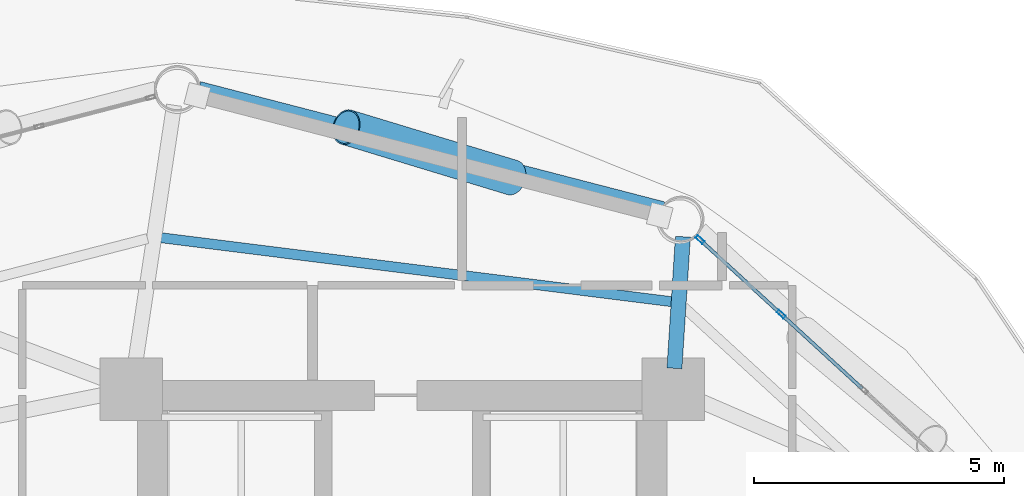
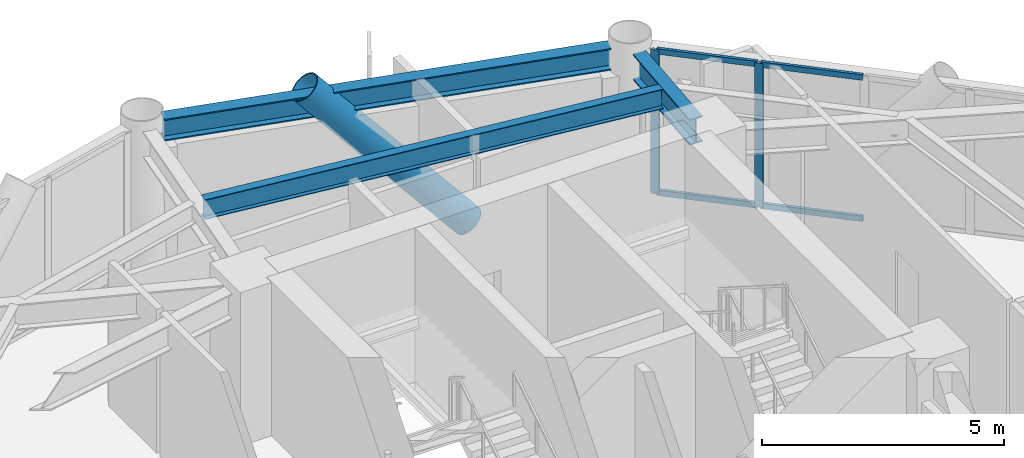
# One storey, part 17 of 23: 7 members, 3 beams, 1 element without a shape of its own.
"""IFC4 building model written with IfcOpenShell, lengths in metres."""

from ifc_helpers import new_model, si_unit, direction, frame, origin, origin_2d, place, context, subcontext, project, spatial, hollow_rectangle, hollow_circle, i_section, extrude, material, layer, layer_set, material_profile, profile_set, type_object, element, aggregate, save


model = new_model("IFC4")

# Units and contexts
model_context = context("Model", 3, precision=1e-05, world=origin(), true_north=direction((0.0, 1.0)))
body_context = subcontext(model_context, "Body", "Model", "MODEL_VIEW")
ifc_project = project(units=[si_unit("LENGTHUNIT", "METRE"), si_unit("AREAUNIT", "SQUARE_METRE"), si_unit("VOLUMEUNIT", "CUBIC_METRE"), si_unit("PLANEANGLEUNIT", "RADIAN"), si_unit("MASSUNIT", "GRAM", prefix="KILO")], contexts=[model_context])

# Site, building, storey
site_placement = place(None, origin())
site = spatial("IfcSite", under=ifc_project, at=site_placement, CompositionType="ELEMENT")
building_placement = place(site_placement, origin())
building = spatial("IfcBuilding", under=site, at=building_placement, Name="Varnakorn Sky Granary", CompositionType="ELEMENT")
storey_placement = place(building_placement, frame((0.0, 0.0, 31.5)))
storey = spatial("IfcBuildingStorey", under=building, at=storey_placement, Name="L07", CompositionType="ELEMENT", Elevation=31.5)

# Beams
ifc_material_1 = material(Name="Steel S355JR", Category="steel")
ifc_material_profile_1 = material_profile(ifc_material_1, i_section(OverallWidth=0.300048828125, OverallDepth=0.64990234375, WebThickness=0.01611328125, FlangeThickness=0.031005859375, at=origin_2d()), Name="HE 650 B")
ifc_profile_set_1 = profile_set([ifc_material_profile_1], Name="Steel S355JR")
beam_type_1 = type_object("IfcBeamType", Name="BM-RAD-Z1", PredefinedType="BEAM", material=ifc_profile_set_1)
beam_1_placement = place(storey_placement, frame((8.447021484375, 13.0390625, 3.31494140625), z_axis=(0.064123669735, 0.997941959725, 0.0), x_axis=(-0.997941959725, 0.064123669735, 0.0)))
element("IfcBeam", 1, at=beam_1_placement, inside=storey, type_object=beam_type_1, Name="Radial Floor Girder RG03 L07", PredefinedType="BEAM", context=body_context, shape_type="SweptSolid", body=[
    extrude(i_section(OverallWidth=0.300048828125, OverallDepth=0.64990234375, WebThickness=0.01611328125, FlangeThickness=0.031005859375, at=origin_2d()), origin(), (0.0, 0.0, 1.0), 2.638427734375),
])
ifc_material_profile_2 = material_profile(ifc_material_1, i_section(OverallWidth=0.199951171875, OverallDepth=0.5, WebThickness=0.01025390625, FlangeThickness=0.01611328125, at=origin_2d()), Name="IPE 500")
ifc_profile_set_2 = profile_set([ifc_material_profile_2], Name="Steel S355JR")
beam_type_2 = type_object("IfcBeamType", Name="BM-SEC-Z1", PredefinedType="BEAM", material=ifc_profile_set_2)
beam_2_placement = place(storey_placement, frame((8.392578125, 14.373046875, 3.389892578125), z_axis=(-0.99225231724, 0.124239039482, 0.0), x_axis=(-0.124239039482, -0.99225231724, 0.0)))
element("IfcBeam", 2, at=beam_2_placement, inside=storey, type_object=beam_type_2, Name="Secondary Floor Chord Beam MSB03 L07", PredefinedType="BEAM", context=body_context, shape_type="SweptSolid", body=[
    extrude(i_section(OverallWidth=0.199951171875, OverallDepth=0.5, WebThickness=0.01025390625, FlangeThickness=0.01611328125, at=origin_2d()), origin(), (0.0, 0.0, 1.0), 10.295166015625),
])
ifc_material_profile_3 = material_profile(ifc_material_1, i_section(OverallWidth=0.300048828125, OverallDepth=0.550048828125, WebThickness=0.014892578125, FlangeThickness=0.029052734375, at=origin_2d()), Name="HE 550 B")
ifc_profile_set_3 = profile_set([ifc_material_profile_3], Name="Steel S355JR")
beam_type_3 = type_object("IfcBeamType", Name="BM-SPD-Z1", PredefinedType="SPANDREL", material=ifc_profile_set_3)
beam_3_placement = place(storey_placement, frame((8.216552734375, 16.22412109375, 3.364990234375), z_axis=(-0.968051132582, 0.250752875771, 0.0), x_axis=(-0.250752875771, -0.968051132582, 0.0)))
element("IfcBeam", 3, at=beam_3_placement, inside=storey, type_object=beam_type_3, Name="Perimeter Spandrel Ring Beam RB03 L07", PredefinedType="SPANDREL", context=body_context, shape_type="SweptSolid", body=[
    extrude(i_section(OverallWidth=0.300048828125, OverallDepth=0.550048828125, WebThickness=0.014892578125, FlangeThickness=0.029052734375, at=origin_2d()), origin(), (0.0, 0.0, 1.0), 9.59521484375),
])

# Curtain wall, members
ifc_material_2 = material(Name="Anodised Bronze Aluminium Alloy 6063-T6", Category="aluminium")
ifc_layer = layer(ifc_material_2, 0.18994140625, Name="Anodised Bronze Aluminium Alloy 6063-T6")
ifc_layer_set = layer_set([ifc_layer], Name="Anodised Bronze Aluminium Alloy 6063-T6")
curtain_wall_type = type_object("IfcCurtainWallType", Name="CW-FRM-1", PredefinedType="USERDEFINED", material=ifc_layer_set)
curtain_wall_placement = place(storey_placement, origin())
curtain_wall = element("IfcCurtainWall", 4, at=curtain_wall_placement, inside=storey, type_object=curtain_wall_type, Name="Unitised Curtain Wall CW3 CW-L07-B02", ObjectType="CURTAIN WALL", PredefinedType="USERDEFINED")
ifc_material_profile_4 = material_profile(ifc_material_2, hollow_rectangle(XDim=0.070068359375, YDim=0.18505859375, WallThickness=0.00390625, at=origin_2d()), Name="ALU MULL 70x185")
ifc_profile_set_4 = profile_set([ifc_material_profile_4], Name="Anodised Bronze Aluminium Alloy 6063-T6")
member_type_1 = type_object("IfcMemberType", Name="CW-FRM-1-MULL", PredefinedType="MULLION", material=ifc_profile_set_4)
member_1_placement = place(storey_placement, frame((8.9580078125, 15.6142578125, 0.0), z_axis=(0.0, 0.0, 1.0), x_axis=(0.676386704621, 0.736546689499, 0.0)))
member_1 = element("IfcMember", 5, at=member_1_placement, type_object=member_type_1, Name="CW3 mullion 1", PredefinedType="MULLION", context=body_context, shape_type="SweptSolid", body=[
    extrude(hollow_rectangle(XDim=0.070068359375, YDim=0.18505859375, WallThickness=0.00390625, at=origin_2d()), origin(), (0.0, 0.0, 1.0), 3.639892578125),
])
member_2_placement = place(storey_placement, frame((10.58154296875, 14.12353515625, 0.0), z_axis=(0.0, 0.0, 1.0), x_axis=(0.676386704621, 0.736546689499, 0.0)))
member_2 = element("IfcMember", 6, at=member_2_placement, type_object=member_type_1, Name="CW3 mullion 2", PredefinedType="MULLION", context=body_context, shape_type="SweptSolid", body=[
    extrude(hollow_rectangle(XDim=0.070068359375, YDim=0.18505859375, WallThickness=0.00390625, at=origin_2d()), origin(), (0.0, 0.0, 1.0), 3.639892578125),
])
ifc_material_profile_5 = material_profile(ifc_material_2, hollow_rectangle(XDim=0.070068359375, YDim=0.139892578125, WallThickness=0.00341796875, at=origin_2d()), Name="ALU TRAN 70x140")
ifc_profile_set_5 = profile_set([ifc_material_profile_5], Name="Anodised Bronze Aluminium Alloy 6063-T6")
member_type_2 = type_object("IfcMemberType", Name="CW-FRM-1-TRAN", PredefinedType="USERDEFINED", material=ifc_profile_set_5)
member_3_placement = place(storey_placement, frame((8.98388671875, 15.590576171875, 0.034912109375), z_axis=(0.736555478372, -0.676377133913, 0.0), x_axis=(0.676377133913, 0.736555478372, 0.0)))
member_3 = element("IfcMember", 7, at=member_3_placement, type_object=member_type_2, Name="CW3 transom 1.1", ObjectType="TRANSOM", PredefinedType="USERDEFINED", context=body_context, shape_type="SweptSolid", body=[
    extrude(hollow_rectangle(XDim=0.070068359375, YDim=0.139892578125, WallThickness=0.00341796875, at=origin_2d()), origin(), (0.0, 0.0, 1.0), 2.134033203125),
])
member_4_placement = place(storey_placement, frame((8.98388671875, 15.590576171875, 3.60498046875), z_axis=(0.736555478372, -0.676377133913, 0.0), x_axis=(0.676377133913, 0.736555478372, 0.0)))
member_4 = element("IfcMember", 8, at=member_4_placement, type_object=member_type_2, Name="CW3 transom 1.2", ObjectType="TRANSOM", PredefinedType="USERDEFINED", context=body_context, shape_type="SweptSolid", body=[
    extrude(hollow_rectangle(XDim=0.070068359375, YDim=0.139892578125, WallThickness=0.00341796875, at=origin_2d()), origin(), (0.0, 0.0, 1.0), 2.134033203125),
])
member_5_placement = place(storey_placement, frame((10.607177734375, 14.099853515625, 0.034912109375), z_axis=(0.736574518081, -0.676356399625, 0.0), x_axis=(0.676356399625, 0.736574518081, 0.0)))
member_5 = element("IfcMember", 9, at=member_5_placement, type_object=member_type_2, Name="CW3 transom 2.1", ObjectType="TRANSOM", PredefinedType="USERDEFINED", context=body_context, shape_type="SweptSolid", body=[
    extrude(hollow_rectangle(XDim=0.070068359375, YDim=0.139892578125, WallThickness=0.00341796875, at=origin_2d()), origin(), (0.0, 0.0, 1.0), 2.1689453125),
])
member_6_placement = place(storey_placement, frame((10.607177734375, 14.099853515625, 3.60498046875), z_axis=(0.736574518081, -0.676356399625, 0.0), x_axis=(0.676356399625, 0.736574518081, 0.0)))
member_6 = element("IfcMember", 10, at=member_6_placement, type_object=member_type_2, Name="CW3 transom 2.2", ObjectType="TRANSOM", PredefinedType="USERDEFINED", context=body_context, shape_type="SweptSolid", body=[
    extrude(hollow_rectangle(XDim=0.070068359375, YDim=0.139892578125, WallThickness=0.00341796875, at=origin_2d()), origin(), (0.0, 0.0, 1.0), 2.1689453125),
])
aggregate(curtain_wall, [member_1, member_2, member_3, member_4, member_5, member_6])

# Member
ifc_material_3 = material(Name="Steel S460M", Category="steel")
ifc_material_profile_6 = material_profile(ifc_material_3, hollow_circle(Radius=0.35546875, WallThickness=0.02490234375, at=origin_2d()), Name="CHS 711x25")
ifc_profile_set_6 = profile_set([ifc_material_profile_6], Name="Steel S460M")
member_type_3 = type_object("IfcMemberType", Name="MB-DIAG-T0", PredefinedType="BRACE", material=ifc_profile_set_6)
member_7_placement = place(storey_placement, frame((5.200927734375, 16.857177734375, -0.1298828125), z_axis=(-0.634132730368, 0.192534562442, 0.748869896939), x_axis=(-0.290523029144, -0.956868000059, 0.0)))
element("IfcMember", 11, at=member_7_placement, inside=storey, type_object=member_type_3, Name="Perimeter CHS Diagrid Brace DG03 L07", PredefinedType="BRACE", context=body_context, shape_type="SweptSolid", body=[
    extrude(hollow_circle(Radius=0.35546875, WallThickness=0.02490234375, at=origin_2d()), origin(), (0.0, 0.0, 1.0), 5.234375),
])

save(model, "model.ifc")
